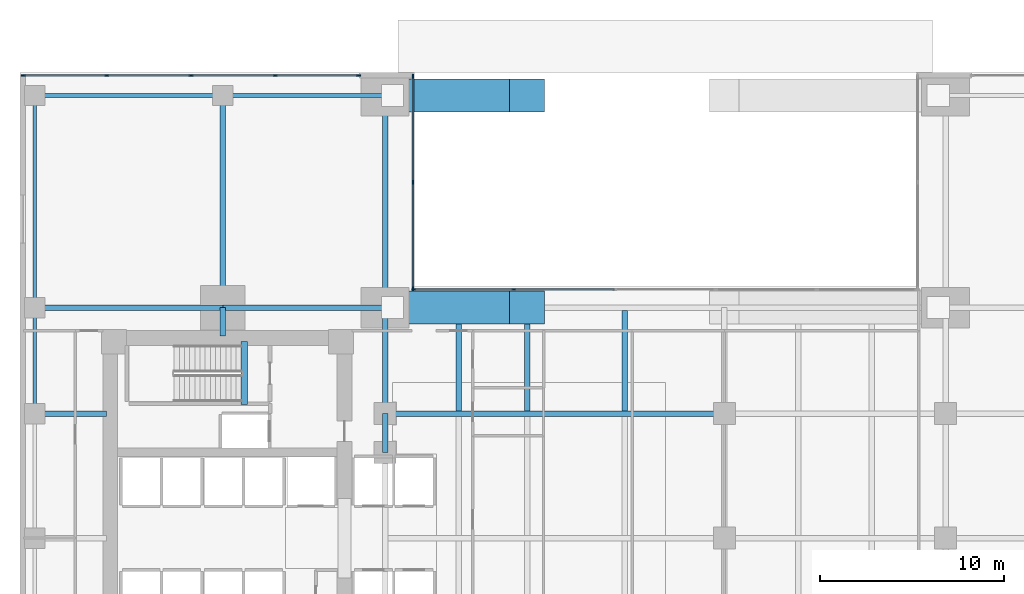
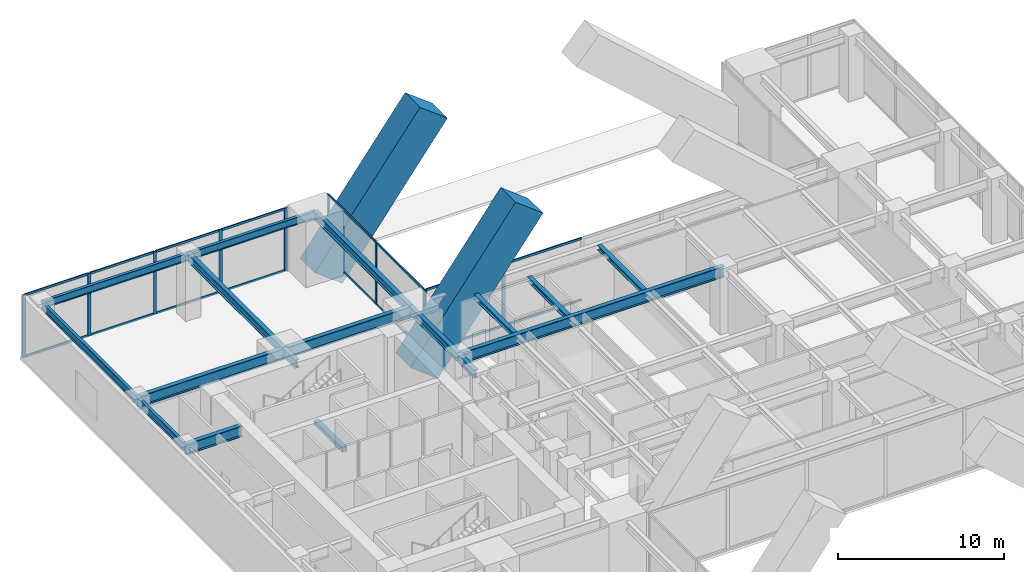
# One storey, part 5 of 13: 26 members, 19 beams, 3 elements without a shape of their own.
"""IFC4 building model written with IfcOpenShell, lengths in metres."""

from ifc_helpers import new_model, si_unit, direction, frame, origin, origin_2d, place, context, subcontext, project, spatial, rectangle, i_section, extrude, material, layer, layer_set, material_profile, profile_set, type_object, element, aggregate, save


model = new_model("IFC4")

# Units and contexts
model_context = context("Model", 3, precision=1e-05, world=origin(), true_north=direction((0.0, 1.0)))
body_context = subcontext(model_context, "Body", "Model", "MODEL_VIEW")
ifc_project = project(units=[si_unit("LENGTHUNIT", "METRE"), si_unit("AREAUNIT", "SQUARE_METRE"), si_unit("VOLUMEUNIT", "CUBIC_METRE"), si_unit("PLANEANGLEUNIT", "RADIAN"), si_unit("MASSUNIT", "GRAM", prefix="KILO")], contexts=[model_context])

# Site, building, storey
site_placement = place(None, origin())
site = spatial("IfcSite", under=ifc_project, at=site_placement, CompositionType="ELEMENT")
building_placement = place(site_placement, origin())
building = spatial("IfcBuilding", under=site, at=building_placement, Name="Kinhvarn Gate Tower", CompositionType="ELEMENT")
storey_placement = place(building_placement, frame((0.0, 0.0, 6.0)))
storey = spatial("IfcBuildingStorey", under=building, at=storey_placement, Name="L01", CompositionType="ELEMENT", Elevation=6.0)

# Beams
ifc_material_1 = material(Name="Concrete C70/85", Category="concrete")
ifc_material_profile_1 = material_profile(ifc_material_1, rectangle(XDim=1.800048828125, YDim=2.39990234375, at=origin_2d()), Name="RC 1800x2400")
ifc_profile_set_1 = profile_set([ifc_material_profile_1], Name="Concrete C70/85")
beam_type_1 = type_object("IfcBeamType", Name="BM-AR-2400", PredefinedType="BEAM", material=ifc_profile_set_1)
for number, where, z_axis, x_axis, name in (
    (1, (20.199951171875, 37.75, 0.0), (0.60529214593, 0.0, 0.796003403306), (0.0, 1.0, 0.0), "Portal Arch West Haunch Rib AR-01-W3"),
    (2, (20.199951171875, 49.25, 0.0), (0.60529214593, 0.0, 0.796003403306), (0.0, 1.0, 0.0), "Portal Arch West Haunch Rib AR-01-W4"),
):
    element("IfcBeam", number, at=place(storey_placement, frame(where, z_axis=z_axis, x_axis=x_axis)), inside=storey, type_object=beam_type_1, Name=name, PredefinedType="BEAM", context=body_context, shape_type="SweptSolid", body=[
        extrude(rectangle(XDim=1.800048828125, YDim=2.39990234375, at=origin_2d()), origin(), (0.0, 0.0, 1.0), 12.060302734375),
    ])
ifc_material_2 = material(Name="Concrete C50/60", Category="concrete")
ifc_material_profile_2 = material_profile(ifc_material_2, rectangle(XDim=0.340087890625, YDim=0.320068359375, at=origin_2d()), Name="RC 340x320")
ifc_profile_set_2 = profile_set([ifc_material_profile_2], Name="Concrete C50/60")
beam_type_2 = type_object("IfcBeamType", Name="BM-LND-500", PredefinedType="BEAM", material=ifc_profile_set_2)
beam_1_placement = place(storey_placement, frame((12.1650390625, 32.5, -0.159912109375), z_axis=(0.0, 1.0, 0.0), x_axis=(-1.0, 0.0, 0.0)))
element("IfcBeam", 3, at=beam_1_placement, inside=storey, type_object=beam_type_2, Name="Stair ST2 Landing Nosing Beam (L01)", PredefinedType="BEAM", context=body_context, shape_type="SweptSolid", body=[
    extrude(rectangle(XDim=0.340087890625, YDim=0.320068359375, at=origin_2d()), origin(), (0.0, 0.0, 1.0), 3.39990234375),
])

# Curtain wall, members
ifc_material_3 = material(Name="Anodised aluminium AW-6063", Category="aluminium")
ifc_layer = layer(ifc_material_3, 0.219970703125)
ifc_layer_set = layer_set([ifc_layer], Name="Anodised aluminium AW-6063")
curtain_wall_type = type_object("IfcCurtainWallType", Name="CW-SYS-1", PredefinedType="NOTDEFINED", material=ifc_layer_set)
curtain_wall_1_placement = place(storey_placement, origin())
curtain_wall_1 = element("IfcCurtainWall", 4, at=curtain_wall_1_placement, inside=storey, type_object=curtain_wall_type, Name="Curtain Wall CW1 (L01)", PredefinedType="NOTDEFINED")
ifc_material_profile_3 = material_profile(ifc_material_3, rectangle(XDim=0.080078125, YDim=0.219970703125, at=origin_2d()), Name="ALU 80x220")
ifc_profile_set_3 = profile_set([ifc_material_profile_3], Name="Anodised aluminium AW-6063")
member_type_1 = type_object("IfcMemberType", Name="CW-MUL-220", PredefinedType="MULLION", material=ifc_profile_set_3)
member_1_placement = place(storey_placement, frame((18.360107421875, 50.35009765625, 0.0), z_axis=(0.0, 0.0, 1.0), x_axis=(0.0, -1.0, 0.0)))
member_1 = element("IfcMember", 5, at=member_1_placement, type_object=member_type_1, Name="CW1 mullion 1", PredefinedType="MULLION", context=body_context, shape_type="SweptSolid", body=[
    extrude(rectangle(XDim=0.080078125, YDim=0.219970703125, at=origin_2d()), origin(), (0.0, 0.0, 1.0), 4.60009765625),
])
member_2_placement = place(storey_placement, frame((13.83740234375, 50.35009765625, 0.0), z_axis=(0.0, 0.0, 1.0), x_axis=(0.0, -1.0, 0.0)))
member_2 = element("IfcMember", 6, at=member_2_placement, type_object=member_type_1, Name="CW1 mullion 2", PredefinedType="MULLION", context=body_context, shape_type="SweptSolid", body=[
    extrude(rectangle(XDim=0.080078125, YDim=0.219970703125, at=origin_2d()), origin(), (0.0, 0.0, 1.0), 4.60009765625),
])
member_3_placement = place(storey_placement, frame((9.27490234375, 50.35009765625, 0.0), z_axis=(0.0, 0.0, 1.0), x_axis=(0.0, -1.0, 0.0)))
member_3 = element("IfcMember", 7, at=member_3_placement, type_object=member_type_1, Name="CW1 mullion 3", PredefinedType="MULLION", context=body_context, shape_type="SweptSolid", body=[
    extrude(rectangle(XDim=0.080078125, YDim=0.219970703125, at=origin_2d()), origin(), (0.0, 0.0, 1.0), 4.60009765625),
])
member_4_placement = place(storey_placement, frame((4.71240234375, 50.35009765625, 0.0), z_axis=(0.0, 0.0, 1.0), x_axis=(0.0, -1.0, 0.0)))
member_4 = element("IfcMember", 8, at=member_4_placement, type_object=member_type_1, Name="CW1 mullion 4", PredefinedType="MULLION", context=body_context, shape_type="SweptSolid", body=[
    extrude(rectangle(XDim=0.080078125, YDim=0.219970703125, at=origin_2d()), origin(), (0.0, 0.0, 1.0), 4.60009765625),
])
member_5_placement = place(storey_placement, frame((0.18994140625, 50.35009765625, 0.0), z_axis=(0.0, 0.0, 1.0), x_axis=(0.0, -1.0, 0.0)))
member_5 = element("IfcMember", 9, at=member_5_placement, type_object=member_type_1, Name="CW1 mullion 5", PredefinedType="MULLION", context=body_context, shape_type="SweptSolid", body=[
    extrude(rectangle(XDim=0.080078125, YDim=0.219970703125, at=origin_2d()), origin(), (0.0, 0.0, 1.0), 4.60009765625),
])

curtain_wall_2_placement = place(storey_placement, origin())
curtain_wall_2 = element("IfcCurtainWall", 10, at=curtain_wall_2_placement, inside=storey, type_object=curtain_wall_type, Name="Curtain Wall CW1 (L01)", PredefinedType="NOTDEFINED")
member_6_placement = place(storey_placement, frame((26.785888671875, 38.739990234375, 0.0), z_axis=(0.0, 0.0, 1.0), x_axis=(0.0, -1.0, 0.0)))
member_6 = element("IfcMember", 11, at=member_6_placement, type_object=member_type_1, Name="CW1 mullion 5", PredefinedType="MULLION", context=body_context, shape_type="SweptSolid", body=[
    extrude(rectangle(XDim=0.080078125, YDim=0.219970703125, at=origin_2d()), origin(), (0.0, 0.0, 1.0), 4.60009765625),
])
member_7_placement = place(storey_placement, frame((21.35009765625, 38.739990234375, 0.0), z_axis=(0.0, 0.0, 1.0), x_axis=(0.0, -1.0, 0.0)))
member_7 = element("IfcMember", 12, at=member_7_placement, type_object=member_type_1, Name="CW1 mullion 6", PredefinedType="MULLION", context=body_context, shape_type="SweptSolid", body=[
    extrude(rectangle(XDim=0.080078125, YDim=0.219970703125, at=origin_2d()), origin(), (0.0, 0.0, 1.0), 4.60009765625),
])

curtain_wall_3_placement = place(storey_placement, origin())
curtain_wall_3 = element("IfcCurtainWall", 13, at=curtain_wall_3_placement, inside=storey, type_object=curtain_wall_type, Name="Curtain Wall CW1 (L01)", PredefinedType="NOTDEFINED")
member_8_placement = place(storey_placement, frame((21.31005859375, 38.780029296875, 0.0), z_axis=(0.0, 0.0, 1.0), x_axis=(-1.0, 0.0, 0.0)))
member_8 = element("IfcMember", 14, at=member_8_placement, type_object=member_type_1, Name="CW1 mullion 1", PredefinedType="MULLION", context=body_context, shape_type="SweptSolid", body=[
    extrude(rectangle(XDim=0.080078125, YDim=0.219970703125, at=origin_2d()), origin(), (0.0, 0.0, 1.0), 4.60009765625),
])
member_9_placement = place(storey_placement, frame((21.31005859375, 44.544921875, 0.0), z_axis=(0.0, 0.0, 1.0), x_axis=(-1.0, 0.0, 0.0)))
member_9 = element("IfcMember", 15, at=member_9_placement, type_object=member_type_1, Name="CW1 mullion 2", PredefinedType="MULLION", context=body_context, shape_type="SweptSolid", body=[
    extrude(rectangle(XDim=0.080078125, YDim=0.219970703125, at=origin_2d()), origin(), (0.0, 0.0, 1.0), 4.60009765625),
])
member_10_placement = place(storey_placement, frame((21.31005859375, 50.31005859375, 0.0), z_axis=(0.0, 0.0, 1.0), x_axis=(-1.0, 0.0, 0.0)))
member_10 = element("IfcMember", 16, at=member_10_placement, type_object=member_type_1, Name="CW1 mullion 3", PredefinedType="MULLION", context=body_context, shape_type="SweptSolid", body=[
    extrude(rectangle(XDim=0.080078125, YDim=0.219970703125, at=origin_2d()), origin(), (0.0, 0.0, 1.0), 4.60009765625),
])

# Member
ifc_material_profile_4 = material_profile(ifc_material_3, rectangle(XDim=0.080078125, YDim=0.159912109375, at=origin_2d()), Name="ALU 80x160")
ifc_profile_set_4 = profile_set([ifc_material_profile_4], Name="Anodised aluminium AW-6063")
member_type_2 = type_object("IfcMemberType", Name="CW-TRN-160", PredefinedType="USERDEFINED", material=ifc_profile_set_4)
member_11_placement = place(storey_placement, frame((18.320068359375, 50.35009765625, 0.0400390625), z_axis=(-1.0, 0.0, 0.0), x_axis=(0.0, -1.0, 0.0)))
member_11 = element("IfcMember", 17, at=member_11_placement, type_object=member_type_2, Name="CW1 transom 1.1", ObjectType="TRANSOM", PredefinedType="USERDEFINED", context=body_context, shape_type="SweptSolid", body=[
    extrude(rectangle(XDim=0.080078125, YDim=0.159912109375, at=origin_2d()), origin(), (0.0, 0.0, 1.0), 4.442626953125),
])

member_12_placement = place(storey_placement, frame((18.320068359375, 50.35009765625, 4.56005859375), z_axis=(-1.0, 0.0, 0.0), x_axis=(0.0, -1.0, 0.0)))
member_12 = element("IfcMember", 18, at=member_12_placement, type_object=member_type_2, Name="CW1 transom 1.2", ObjectType="TRANSOM", PredefinedType="USERDEFINED", context=body_context, shape_type="SweptSolid", body=[
    extrude(rectangle(XDim=0.080078125, YDim=0.159912109375, at=origin_2d()), origin(), (0.0, 0.0, 1.0), 4.442626953125),
])

member_13_placement = place(storey_placement, frame((13.797607421875, 50.35009765625, 0.0400390625), z_axis=(-1.0, 0.0, 0.0), x_axis=(0.0, -1.0, 0.0)))
member_13 = element("IfcMember", 19, at=member_13_placement, type_object=member_type_2, Name="CW1 transom 2.1", ObjectType="TRANSOM", PredefinedType="USERDEFINED", context=body_context, shape_type="SweptSolid", body=[
    extrude(rectangle(XDim=0.080078125, YDim=0.159912109375, at=origin_2d()), origin(), (0.0, 0.0, 1.0), 4.482666015625),
])

member_14_placement = place(storey_placement, frame((13.797607421875, 50.35009765625, 4.56005859375), z_axis=(-1.0, 0.0, 0.0), x_axis=(0.0, -1.0, 0.0)))
member_14 = element("IfcMember", 20, at=member_14_placement, type_object=member_type_2, Name="CW1 transom 2.2", ObjectType="TRANSOM", PredefinedType="USERDEFINED", context=body_context, shape_type="SweptSolid", body=[
    extrude(rectangle(XDim=0.080078125, YDim=0.159912109375, at=origin_2d()), origin(), (0.0, 0.0, 1.0), 4.482666015625),
])

member_15_placement = place(storey_placement, frame((9.235107421875, 50.35009765625, 0.0400390625), z_axis=(-1.0, 0.0, 0.0), x_axis=(0.0, -1.0, 0.0)))
member_15 = element("IfcMember", 21, at=member_15_placement, type_object=member_type_2, Name="CW1 transom 3.1", ObjectType="TRANSOM", PredefinedType="USERDEFINED", context=body_context, shape_type="SweptSolid", body=[
    extrude(rectangle(XDim=0.080078125, YDim=0.159912109375, at=origin_2d()), origin(), (0.0, 0.0, 1.0), 4.482666015625),
])

member_16_placement = place(storey_placement, frame((9.235107421875, 50.35009765625, 4.56005859375), z_axis=(-1.0, 0.0, 0.0), x_axis=(0.0, -1.0, 0.0)))
member_16 = element("IfcMember", 22, at=member_16_placement, type_object=member_type_2, Name="CW1 transom 3.2", ObjectType="TRANSOM", PredefinedType="USERDEFINED", context=body_context, shape_type="SweptSolid", body=[
    extrude(rectangle(XDim=0.080078125, YDim=0.159912109375, at=origin_2d()), origin(), (0.0, 0.0, 1.0), 4.482666015625),
])

member_17_placement = place(storey_placement, frame((4.672607421875, 50.35009765625, 0.0400390625), z_axis=(-1.0, 0.0, 0.0), x_axis=(0.0, -1.0, 0.0)))
member_17 = element("IfcMember", 23, at=member_17_placement, type_object=member_type_2, Name="CW1 transom 4.1", ObjectType="TRANSOM", PredefinedType="USERDEFINED", context=body_context, shape_type="SweptSolid", body=[
    extrude(rectangle(XDim=0.080078125, YDim=0.159912109375, at=origin_2d()), origin(), (0.0, 0.0, 1.0), 4.442626953125),
])

member_18_placement = place(storey_placement, frame((4.672607421875, 50.35009765625, 4.56005859375), z_axis=(-1.0, 0.0, 0.0), x_axis=(0.0, -1.0, 0.0)))
member_18 = element("IfcMember", 24, at=member_18_placement, type_object=member_type_2, Name="CW1 transom 4.2", ObjectType="TRANSOM", PredefinedType="USERDEFINED", context=body_context, shape_type="SweptSolid", body=[
    extrude(rectangle(XDim=0.080078125, YDim=0.159912109375, at=origin_2d()), origin(), (0.0, 0.0, 1.0), 4.442626953125),
])

aggregate(curtain_wall_1, [member_1, member_2, member_3, member_4, member_5, member_11, member_12, member_13, member_14, member_15, member_16, member_17, member_18])

member_19_placement = place(storey_placement, frame((32.221923828125, 38.739990234375, 0.0400390625), z_axis=(-1.0, 0.0, 0.0), x_axis=(0.0, -1.0, 0.0)))
member_19 = element("IfcMember", 25, at=member_19_placement, type_object=member_type_2, Name="CW1 transom 4.1", ObjectType="TRANSOM", PredefinedType="USERDEFINED", context=body_context, shape_type="SweptSolid", body=[
    extrude(rectangle(XDim=0.080078125, YDim=0.159912109375, at=origin_2d()), origin(), (0.0, 0.0, 1.0), 5.39599609375),
])

member_20_placement = place(storey_placement, frame((32.221923828125, 38.739990234375, 4.56005859375), z_axis=(-1.0, 0.0, 0.0), x_axis=(0.0, -1.0, 0.0)))
member_20 = element("IfcMember", 26, at=member_20_placement, type_object=member_type_2, Name="CW1 transom 4.2", ObjectType="TRANSOM", PredefinedType="USERDEFINED", context=body_context, shape_type="SweptSolid", body=[
    extrude(rectangle(XDim=0.080078125, YDim=0.159912109375, at=origin_2d()), origin(), (0.0, 0.0, 1.0), 5.39599609375),
])

member_21_placement = place(storey_placement, frame((26.74609375, 38.739990234375, 0.0400390625), z_axis=(-1.0, 0.0, 0.0), x_axis=(0.0, -1.0, 0.0)))
member_21 = element("IfcMember", 27, at=member_21_placement, type_object=member_type_2, Name="CW1 transom 5.1", ObjectType="TRANSOM", PredefinedType="USERDEFINED", context=body_context, shape_type="SweptSolid", body=[
    extrude(rectangle(XDim=0.080078125, YDim=0.159912109375, at=origin_2d()), origin(), (0.0, 0.0, 1.0), 5.356201171875),
])

member_22_placement = place(storey_placement, frame((26.74609375, 38.739990234375, 4.56005859375), z_axis=(-1.0, 0.0, 0.0), x_axis=(0.0, -1.0, 0.0)))
member_22 = element("IfcMember", 28, at=member_22_placement, type_object=member_type_2, Name="CW1 transom 5.2", ObjectType="TRANSOM", PredefinedType="USERDEFINED", context=body_context, shape_type="SweptSolid", body=[
    extrude(rectangle(XDim=0.080078125, YDim=0.159912109375, at=origin_2d()), origin(), (0.0, 0.0, 1.0), 5.356201171875),
])

aggregate(curtain_wall_2, [member_6, member_7, member_19, member_20, member_21, member_22])

member_23_placement = place(storey_placement, frame((21.31005859375, 38.820068359375, 0.0400390625), z_axis=(0.0, 1.0, 0.0), x_axis=(-1.0, 0.0, 0.0)))
member_23 = element("IfcMember", 29, at=member_23_placement, type_object=member_type_2, Name="CW1 transom 1.1", ObjectType="TRANSOM", PredefinedType="USERDEFINED", context=body_context, shape_type="SweptSolid", body=[
    extrude(rectangle(XDim=0.080078125, YDim=0.159912109375, at=origin_2d()), origin(), (0.0, 0.0, 1.0), 5.684814453125),
])

member_24_placement = place(storey_placement, frame((21.31005859375, 38.820068359375, 4.56005859375), z_axis=(0.0, 1.0, 0.0), x_axis=(-1.0, 0.0, 0.0)))
member_24 = element("IfcMember", 30, at=member_24_placement, type_object=member_type_2, Name="CW1 transom 1.2", ObjectType="TRANSOM", PredefinedType="USERDEFINED", context=body_context, shape_type="SweptSolid", body=[
    extrude(rectangle(XDim=0.080078125, YDim=0.159912109375, at=origin_2d()), origin(), (0.0, 0.0, 1.0), 5.684814453125),
])

member_25_placement = place(storey_placement, frame((21.31005859375, 44.5849609375, 0.0400390625), z_axis=(0.0, 1.0, 0.0), x_axis=(-1.0, 0.0, 0.0)))
member_25 = element("IfcMember", 31, at=member_25_placement, type_object=member_type_2, Name="CW1 transom 2.1", ObjectType="TRANSOM", PredefinedType="USERDEFINED", context=body_context, shape_type="SweptSolid", body=[
    extrude(rectangle(XDim=0.080078125, YDim=0.159912109375, at=origin_2d()), origin(), (0.0, 0.0, 1.0), 5.68505859375),
])

member_26_placement = place(storey_placement, frame((21.31005859375, 44.5849609375, 4.56005859375), z_axis=(0.0, 1.0, 0.0), x_axis=(-1.0, 0.0, 0.0)))
member_26 = element("IfcMember", 32, at=member_26_placement, type_object=member_type_2, Name="CW1 transom 2.2", ObjectType="TRANSOM", PredefinedType="USERDEFINED", context=body_context, shape_type="SweptSolid", body=[
    extrude(rectangle(XDim=0.080078125, YDim=0.159912109375, at=origin_2d()), origin(), (0.0, 0.0, 1.0), 5.68505859375),
])

aggregate(curtain_wall_3, [member_8, member_9, member_10, member_23, member_24, member_25, member_26])

# Beams
ifc_material_4 = material(Name="Steel S355", Category="steel")
ifc_material_profile_5 = material_profile(ifc_material_4, i_section(OverallWidth=0.300048828125, OverallDepth=0.360107421875, WebThickness=0.012451171875, FlangeThickness=0.0224609375, at=origin_2d()), Name="HEB 360")
ifc_profile_set_5 = profile_set([ifc_material_profile_5], Name="Steel S355")
beam_type_3 = type_object("IfcBeamType", Name="STL-HEB360", PredefinedType="BEAM", material=ifc_profile_set_5)
for number, where, z_axis, x_axis, name in (
    (33, (23.800048828125, 32.14990234375, 4.419921875), (0.0, 1.0, 0.0), (-1.0, 0.0, 0.0), "Floor Beam PG-11 (L01 POD-J238-32)"),
    (34, (27.5, 32.14990234375, 4.419921875), (0.0, 1.0, 0.0), (-1.0, 0.0, 0.0), "Floor Beam PG-11 (L01 POD-J275-32)"),
):
    element("IfcBeam", number, at=place(storey_placement, frame(where, z_axis=z_axis, x_axis=x_axis)), inside=storey, type_object=beam_type_3, Name=name, PredefinedType="BEAM", context=body_context, shape_type="SweptSolid", body=[
        extrude(i_section(OverallWidth=0.300048828125, OverallDepth=0.360107421875, WebThickness=0.012451171875, FlangeThickness=0.0224609375, at=origin_2d()), origin(), (0.0, 0.0, 1.0), 4.7001953125),
    ])
beam_2_placement = place(storey_placement, frame((32.800048828125, 32.14990234375, 4.419921875), z_axis=(0.0, 1.0, 0.0), x_axis=(-1.0, 0.0, 0.0)))
element("IfcBeam", 35, at=beam_2_placement, inside=storey, type_object=beam_type_3, Name="Floor Beam PG-11 (L01 POD-J328-32)", PredefinedType="BEAM", context=body_context, shape_type="SweptSolid", body=[
    extrude(i_section(OverallWidth=0.300048828125, OverallDepth=0.360107421875, WebThickness=0.012451171875, FlangeThickness=0.0224609375, at=origin_2d()), origin(), (0.0, 0.0, 1.0), 5.4501953125),
])
ifc_material_profile_6 = material_profile(ifc_material_4, i_section(OverallWidth=0.300048828125, OverallDepth=0.60009765625, WebThickness=0.015380859375, FlangeThickness=0.030029296875, at=origin_2d()), Name="HEB 600")
ifc_profile_set_6 = profile_set([ifc_material_profile_6], Name="Steel S355")
beam_type_4 = type_object("IfcBeamType", Name="STL-HEB600", PredefinedType="BEAM", material=ifc_profile_set_6)
beam_3_placement = place(storey_placement, frame((11.0, 36.199951171875, 4.300048828125), z_axis=(0.0, 1.0, 0.0), x_axis=(-1.0, 0.0, 0.0)))
element("IfcBeam", 36, at=beam_3_placement, inside=storey, type_object=beam_type_4, Name="Floor Beam PG-16 (L01 NS11-CN)", PredefinedType="BEAM", context=body_context, shape_type="SweptSolid", body=[
    extrude(i_section(OverallWidth=0.300048828125, OverallDepth=0.60009765625, WebThickness=0.015380859375, FlangeThickness=0.030029296875, at=origin_2d()), origin(), (0.0, 0.0, 1.0), 1.550048828125),
])
beam_4_placement = place(storey_placement, frame((11.0, 37.75, 4.300048828125), z_axis=(0.0, 1.0, 0.0), x_axis=(-1.0, 0.0, 0.0)))
element("IfcBeam", 37, at=beam_4_placement, inside=storey, type_object=beam_type_4, Name="Floor Beam PG-16 (L01 NS11-N)", PredefinedType="BEAM", context=body_context, shape_type="SweptSolid", body=[
    extrude(i_section(OverallWidth=0.300048828125, OverallDepth=0.60009765625, WebThickness=0.015380859375, FlangeThickness=0.030029296875, at=origin_2d()), origin(), (0.0, 0.0, 1.0), 11.5),
])
beam_5_placement = place(storey_placement, frame((19.800048828125, 29.89990234375, 4.300048828125), z_axis=(0.0, 1.0, 0.0), x_axis=(-1.0, 0.0, 0.0)))
element("IfcBeam", 38, at=beam_5_placement, inside=storey, type_object=beam_type_4, Name="Floor Beam PG-16 (L01 APW-5)", PredefinedType="BEAM", context=body_context, shape_type="SweptSolid", body=[
    extrude(i_section(OverallWidth=0.300048828125, OverallDepth=0.60009765625, WebThickness=0.015380859375, FlangeThickness=0.030029296875, at=origin_2d()), origin(), (0.0, 0.0, 1.0), 2.10009765625),
])
beam_6_placement = place(storey_placement, frame((19.800048828125, 32.0, 4.300048828125), z_axis=(0.0, 1.0, 0.0), x_axis=(-1.0, 0.0, 0.0)))
element("IfcBeam", 39, at=beam_6_placement, inside=storey, type_object=beam_type_4, Name="Floor Beam PG-16 (L01 APW-6)", PredefinedType="BEAM", context=body_context, shape_type="SweptSolid", body=[
    extrude(i_section(OverallWidth=0.300048828125, OverallDepth=0.60009765625, WebThickness=0.015380859375, FlangeThickness=0.030029296875, at=origin_2d()), origin(), (0.0, 0.0, 1.0), 5.75),
])
beam_7_placement = place(storey_placement, frame((19.800048828125, 37.75, 4.300048828125), z_axis=(0.0, 1.0, 0.0), x_axis=(-1.0, 0.0, 0.0)))
element("IfcBeam", 40, at=beam_7_placement, inside=storey, type_object=beam_type_4, Name="Floor Beam PG-16 (L01 APW-7)", PredefinedType="BEAM", context=body_context, shape_type="SweptSolid", body=[
    extrude(i_section(OverallWidth=0.300048828125, OverallDepth=0.60009765625, WebThickness=0.015380859375, FlangeThickness=0.030029296875, at=origin_2d()), origin(), (0.0, 0.0, 1.0), 11.5),
])
ifc_material_profile_7 = material_profile(ifc_material_4, i_section(OverallWidth=0.300048828125, OverallDepth=0.800048828125, WebThickness=0.017578125, FlangeThickness=0.032958984375, at=origin_2d()), Name="HEB 800")
ifc_profile_set_7 = profile_set([ifc_material_profile_7], Name="Steel S355")
beam_type_5 = type_object("IfcBeamType", Name="STL-HEB800", PredefinedType="BEAM", material=ifc_profile_set_7)
beam_8_placement = place(storey_placement, frame((0.800048828125, 37.75, 4.199951171875), z_axis=(1.0, 0.0, 0.0), x_axis=(0.0, 1.0, 0.0)))
element("IfcBeam", 41, at=beam_8_placement, inside=storey, type_object=beam_type_5, Name="Floor Beam PG-19 (L01 SPN-1)", PredefinedType="BEAM", context=body_context, shape_type="SweptSolid", body=[
    extrude(i_section(OverallWidth=0.300048828125, OverallDepth=0.800048828125, WebThickness=0.017578125, FlangeThickness=0.032958984375, at=origin_2d()), origin(), (0.0, 0.0, 1.0), 10.199951171875),
])
beam_9_placement = place(storey_placement, frame((11.0, 37.75, 4.199951171875), z_axis=(1.0, 0.0, 0.0), x_axis=(0.0, 1.0, 0.0)))
element("IfcBeam", 42, at=beam_9_placement, inside=storey, type_object=beam_type_5, Name="Floor Beam PG-19 (L01 SPN-2)", PredefinedType="BEAM", context=body_context, shape_type="SweptSolid", body=[
    extrude(i_section(OverallWidth=0.300048828125, OverallDepth=0.800048828125, WebThickness=0.017578125, FlangeThickness=0.032958984375, at=origin_2d()), origin(), (0.0, 0.0, 1.0), 8.800048828125),
])
beam_10_placement = place(storey_placement, frame((0.800048828125, 32.0, 4.199951171875), z_axis=(1.0, 0.0, 0.0), x_axis=(0.0, 1.0, 0.0)))
element("IfcBeam", 43, at=beam_10_placement, inside=storey, type_object=beam_type_5, Name="Floor Beam PG-19 (L01 W-MID-32)", PredefinedType="BEAM", context=body_context, shape_type="SweptSolid", body=[
    extrude(i_section(OverallWidth=0.300048828125, OverallDepth=0.800048828125, WebThickness=0.017578125, FlangeThickness=0.032958984375, at=origin_2d()), origin(), (0.0, 0.0, 1.0), 3.89990234375),
])
beam_11_placement = place(storey_placement, frame((19.800048828125, 32.0, 4.199951171875), z_axis=(1.0, 0.0, 0.0), x_axis=(0.0, 1.0, 0.0)))
element("IfcBeam", 44, at=beam_11_placement, inside=storey, type_object=beam_type_5, Name="Floor Beam PG-19 (L01 POD-EW1-32)", PredefinedType="BEAM", context=body_context, shape_type="SweptSolid", body=[
    extrude(i_section(OverallWidth=0.300048828125, OverallDepth=0.800048828125, WebThickness=0.017578125, FlangeThickness=0.032958984375, at=origin_2d()), origin(), (0.0, 0.0, 1.0), 18.39990234375),
])
ifc_material_profile_8 = material_profile(ifc_material_4, i_section(OverallWidth=0.2099609375, OverallDepth=0.550048828125, WebThickness=0.010986328125, FlangeThickness=0.01708984375, at=origin_2d()), Name="IPE 550")
ifc_profile_set_8 = profile_set([ifc_material_profile_8], Name="Steel S355")
beam_type_6 = type_object("IfcBeamType", Name="STL-IPE550", PredefinedType="SPANDREL", material=ifc_profile_set_8)
beam_12_placement = place(storey_placement, frame((0.800048828125, 32.0, 4.324951171875), z_axis=(0.0, 1.0, 0.0), x_axis=(-1.0, 0.0, 0.0)))
element("IfcBeam", 45, at=beam_12_placement, inside=storey, type_object=beam_type_6, Name="Floor Spandrel SB-08 (L01 PERW-5)", PredefinedType="SPANDREL", context=body_context, shape_type="SweptSolid", body=[
    extrude(i_section(OverallWidth=0.2099609375, OverallDepth=0.550048828125, WebThickness=0.010986328125, FlangeThickness=0.01708984375, at=origin_2d()), origin(), (0.0, 0.0, 1.0), 5.75),
])
beam_13_placement = place(storey_placement, frame((0.800048828125, 37.75, 4.324951171875), z_axis=(0.0, 1.0, 0.0), x_axis=(-1.0, 0.0, 0.0)))
element("IfcBeam", 46, at=beam_13_placement, inside=storey, type_object=beam_type_6, Name="Floor Spandrel SB-08 (L01 PERW-6)", PredefinedType="SPANDREL", context=body_context, shape_type="SweptSolid", body=[
    extrude(i_section(OverallWidth=0.2099609375, OverallDepth=0.550048828125, WebThickness=0.010986328125, FlangeThickness=0.01708984375, at=origin_2d()), origin(), (0.0, 0.0, 1.0), 11.5),
])
beam_14_placement = place(storey_placement, frame((0.800048828125, 49.25, 4.324951171875), z_axis=(1.0, 0.0, 0.0), x_axis=(0.0, 1.0, 0.0)))
element("IfcBeam", 47, at=beam_14_placement, inside=storey, type_object=beam_type_6, Name="Floor Spandrel SB-08 (L01 SP-POD-NW1)", PredefinedType="SPANDREL", context=body_context, shape_type="SweptSolid", body=[
    extrude(i_section(OverallWidth=0.2099609375, OverallDepth=0.550048828125, WebThickness=0.010986328125, FlangeThickness=0.01708984375, at=origin_2d()), origin(), (0.0, 0.0, 1.0), 10.199951171875),
])
beam_15_placement = place(storey_placement, frame((11.0, 49.25, 4.324951171875), z_axis=(1.0, 0.0, 0.0), x_axis=(0.0, 1.0, 0.0)))
element("IfcBeam", 48, at=beam_15_placement, inside=storey, type_object=beam_type_6, Name="Floor Spandrel SB-08 (L01 SP-POD-NW2)", PredefinedType="SPANDREL", context=body_context, shape_type="SweptSolid", body=[
    extrude(i_section(OverallWidth=0.2099609375, OverallDepth=0.550048828125, WebThickness=0.010986328125, FlangeThickness=0.01708984375, at=origin_2d()), origin(), (0.0, 0.0, 1.0), 8.800048828125),
])

save(model, "model.ifc")
